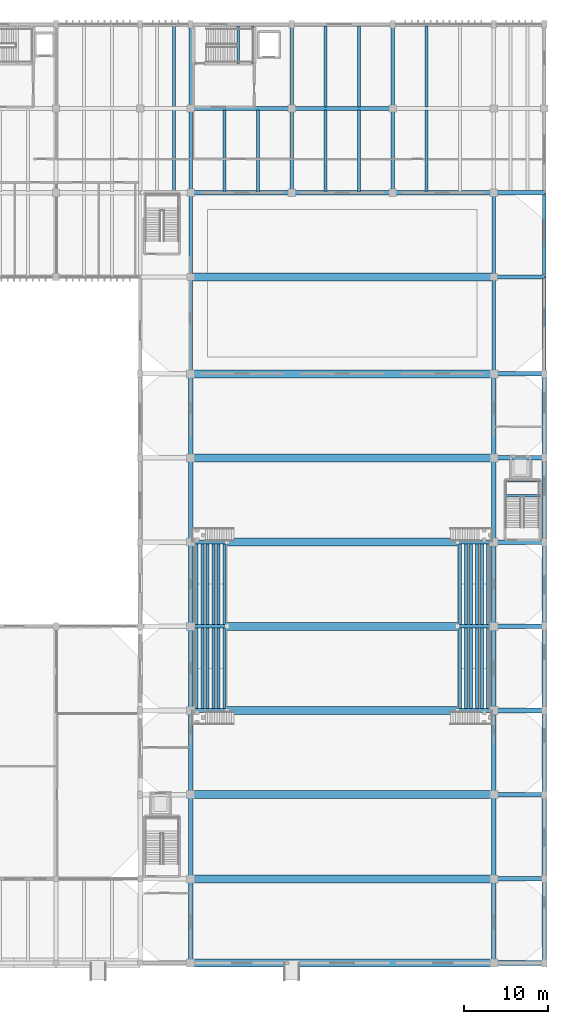
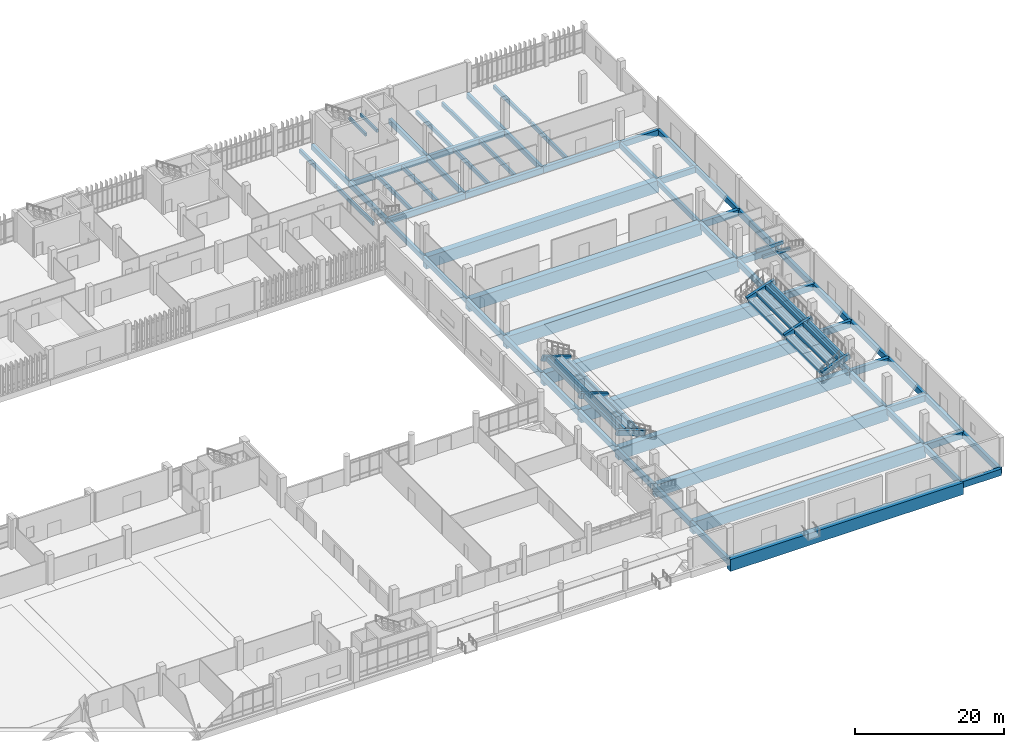
# One storey, part 55 of 87: 101 beams.
"""IFC4 building model written with IfcOpenShell, lengths in metres."""

from ifc_helpers import new_model, si_unit, direction, frame, origin, origin_2d, place, context, subcontext, project, spatial, rectangle, extrude, material, material_profile, profile_set, type_object, element, save


model = new_model("IFC4")

# Units and contexts
model_context = context("Model", 3, precision=1e-05, world=origin(), true_north=direction((0.0, 1.0)))
body_context = subcontext(model_context, "Body", "Model", "MODEL_VIEW")
ifc_project = project(units=[si_unit("LENGTHUNIT", "METRE"), si_unit("AREAUNIT", "SQUARE_METRE"), si_unit("VOLUMEUNIT", "CUBIC_METRE"), si_unit("PLANEANGLEUNIT", "RADIAN"), si_unit("MASSUNIT", "GRAM", prefix="KILO")], contexts=[model_context])

# Site, building, storey
site_placement = place(None, origin())
site = spatial("IfcSite", under=ifc_project, at=site_placement, CompositionType="ELEMENT")
building_placement = place(site_placement, origin())
building = spatial("IfcBuilding", under=site, at=building_placement, Name="Mersad Railyard Sports Hall", CompositionType="ELEMENT")
storey_placement = place(building_placement, origin())
storey = spatial("IfcBuildingStorey", under=building, at=storey_placement, Name="L00", CompositionType="ELEMENT", Elevation=0.0)

# Beams
ifc_material_1 = material(Name="Concrete C40/50", Category="concrete")
ifc_material_profile_1 = material_profile(ifc_material_1, rectangle(XDim=0.449951171875, YDim=0.85009765625, at=origin_2d()), Name="RC 450x850")
ifc_profile_set_1 = profile_set([ifc_material_profile_1], Name="Concrete C40/50")
beam_type_1 = type_object("IfcBeamType", Name="STR-BM-B02", PredefinedType="BEAM", material=ifc_profile_set_1)
beam_1_placement = place(storey_placement, frame((137.0, 73.5, -0.875), z_axis=(0.0, 1.0, 0.0), x_axis=(-1.0, 0.0, 0.0)))
element("IfcBeam", 1, at=beam_1_placement, inside=storey, type_object=beam_type_1, Name="Beam B02-0136", PredefinedType="BEAM", context=body_context, shape_type="SweptSolid", body=[
    extrude(rectangle(XDim=0.449951171875, YDim=0.85009765625, at=origin_2d()), origin(), (0.0, 0.0, 1.0), 11.5),
])
beam_2_placement = place(storey_placement, frame((137.0, 85.0, -0.875), z_axis=(0.0, 1.0, 0.0), x_axis=(-1.0, 0.0, 0.0)))
element("IfcBeam", 2, at=beam_2_placement, inside=storey, type_object=beam_type_1, Name="Beam B02-0137", PredefinedType="BEAM", context=body_context, shape_type="SweptSolid", body=[
    extrude(rectangle(XDim=0.449951171875, YDim=0.85009765625, at=origin_2d()), origin(), (0.0, 0.0, 1.0), 10.0),
])
beam_3_placement = place(storey_placement, frame((173.0, 73.5, -0.875), z_axis=(0.0, 1.0, 0.0), x_axis=(-1.0, 0.0, 0.0)))
element("IfcBeam", 3, at=beam_3_placement, inside=storey, type_object=beam_type_1, Name="Beam B02-0138", PredefinedType="BEAM", context=body_context, shape_type="SweptSolid", body=[
    extrude(rectangle(XDim=0.449951171875, YDim=0.85009765625, at=origin_2d()), origin(), (0.0, 0.0, 1.0), 11.5),
])
beam_4_placement = place(storey_placement, frame((173.0, 85.0, -0.875), z_axis=(0.0, 1.0, 0.0), x_axis=(-1.0, 0.0, 0.0)))
element("IfcBeam", 4, at=beam_4_placement, inside=storey, type_object=beam_type_1, Name="Beam B02-0139", PredefinedType="BEAM", context=body_context, shape_type="SweptSolid", body=[
    extrude(rectangle(XDim=0.449951171875, YDim=0.85009765625, at=origin_2d()), origin(), (0.0, 0.0, 1.0), 10.0),
])
beam_5_placement = place(storey_placement, frame((179.0, 73.5, -0.875), z_axis=(0.0, 1.0, 0.0), x_axis=(-1.0, 0.0, 0.0)))
element("IfcBeam", 5, at=beam_5_placement, inside=storey, type_object=beam_type_1, Name="Beam B02-0140", PredefinedType="BEAM", context=body_context, shape_type="SweptSolid", body=[
    extrude(rectangle(XDim=0.449951171875, YDim=0.85009765625, at=origin_2d()), origin(), (0.0, 0.0, 1.0), 11.5),
])
for number, where, z_axis, x_axis, name in (
    (6, (179.0, 85.0, -0.875), (0.0, 1.0, 0.0), (-1.0, 0.0, 0.0), "Beam B02-0141"),
    (7, (137.0, 95.0, -0.77490234375), (0.0, 1.0, 0.0), (-1.0, 0.0, 0.0), "Beam B02-0213"),
    (8, (137.0, 105.0, -0.77490234375), (0.0, 1.0, 0.0), (-1.0, 0.0, 0.0), "Beam B02-0214"),
    (9, (149.0, 95.0, -0.77490234375), (0.0, 1.0, 0.0), (-1.0, 0.0, 0.0), "Beam B02-0215"),
    (10, (149.0, 105.0, -0.77490234375), (0.0, 1.0, 0.0), (-1.0, 0.0, 0.0), "Beam B02-0216"),
    (11, (161.0, 95.0, -0.77490234375), (0.0, 1.0, 0.0), (-1.0, 0.0, 0.0), "Beam B02-0217"),
    (12, (161.0, 105.0, -0.77490234375), (0.0, 1.0, 0.0), (-1.0, 0.0, 0.0), "Beam B02-0218"),
):
    element("IfcBeam", number, at=place(storey_placement, frame(where, z_axis=z_axis, x_axis=x_axis)), inside=storey, type_object=beam_type_1, Name=name, PredefinedType="BEAM", context=body_context, shape_type="SweptSolid", body=[
        extrude(rectangle(XDim=0.449951171875, YDim=0.85009765625, at=origin_2d()), origin(), (0.0, 0.0, 1.0), 10.0),
    ])
ifc_material_2 = material(Name="Concrete C50/60", Category="concrete")
ifc_material_profile_2 = material_profile(ifc_material_2, rectangle(XDim=0.5, YDim=0.949951171875, at=origin_2d()), Name="RC 500x950")
ifc_profile_set_2 = profile_set([ifc_material_profile_2], Name="Concrete C50/60")
beam_type_2 = type_object("IfcBeamType", Name="STR-BM-B03", PredefinedType="BEAM", material=ifc_profile_set_2)
for number, where, z_axis, x_axis, name in (
    (13, (137.0, 3.5, -0.925048828125), (0.0, 1.0, 0.0), (-1.0, 0.0, 0.0), "Beam B03-0108"),
    (14, (137.0, 13.5, -0.925048828125), (0.0, 1.0, 0.0), (-1.0, 0.0, 0.0), "Beam B03-0109"),
    (15, (137.0, 23.5, -0.925048828125), (0.0, 1.0, 0.0), (-1.0, 0.0, 0.0), "Beam B03-0110"),
    (16, (137.0, 33.5, -0.925048828125), (0.0, 1.0, 0.0), (-1.0, 0.0, 0.0), "Beam B03-0111"),
    (17, (137.0, 43.5, -0.925048828125), (0.0, 1.0, 0.0), (-1.0, 0.0, 0.0), "Beam B03-0112"),
    (18, (137.0, 53.5, -0.925048828125), (0.0, 1.0, 0.0), (-1.0, 0.0, 0.0), "Beam B03-0113"),
    (19, (137.0, 63.5, -0.925048828125), (0.0, 1.0, 0.0), (-1.0, 0.0, 0.0), "Beam B03-0114"),
    (20, (173.0, 3.5, -0.925048828125), (0.0, 1.0, 0.0), (-1.0, 0.0, 0.0), "Beam B03-0115"),
    (21, (173.0, 13.5, -0.925048828125), (0.0, 1.0, 0.0), (-1.0, 0.0, 0.0), "Beam B03-0116"),
    (22, (173.0, 23.5, -0.925048828125), (0.0, 1.0, 0.0), (-1.0, 0.0, 0.0), "Beam B03-0117"),
    (23, (173.0, 33.5, -0.925048828125), (0.0, 1.0, 0.0), (-1.0, 0.0, 0.0), "Beam B03-0118"),
    (24, (173.0, 43.5, -0.925048828125), (0.0, 1.0, 0.0), (-1.0, 0.0, 0.0), "Beam B03-0119"),
    (25, (173.0, 53.5, -0.925048828125), (0.0, 1.0, 0.0), (-1.0, 0.0, 0.0), "Beam B03-0120"),
    (26, (173.0, 63.5, -0.925048828125), (0.0, 1.0, 0.0), (-1.0, 0.0, 0.0), "Beam B03-0121"),
    (27, (179.0, 3.5, -0.925048828125), (0.0, 1.0, 0.0), (-1.0, 0.0, 0.0), "Beam B03-0122"),
    (28, (179.0, 13.5, -0.925048828125), (0.0, 1.0, 0.0), (-1.0, 0.0, 0.0), "Beam B03-0123"),
    (29, (179.0, 23.5, -0.925048828125), (0.0, 1.0, 0.0), (-1.0, 0.0, 0.0), "Beam B03-0124"),
    (30, (179.0, 33.5, -0.925048828125), (0.0, 1.0, 0.0), (-1.0, 0.0, 0.0), "Beam B03-0125"),
    (31, (179.0, 43.5, -0.925048828125), (0.0, 1.0, 0.0), (-1.0, 0.0, 0.0), "Beam B03-0126"),
    (32, (179.0, 53.5, -0.925048828125), (0.0, 1.0, 0.0), (-1.0, 0.0, 0.0), "Beam B03-0127"),
    (33, (179.0, 63.5, -0.925048828125), (0.0, 1.0, 0.0), (-1.0, 0.0, 0.0), "Beam B03-0128"),
):
    element("IfcBeam", number, at=place(storey_placement, frame(where, z_axis=z_axis, x_axis=x_axis)), inside=storey, type_object=beam_type_2, Name=name, PredefinedType="BEAM", context=body_context, shape_type="SweptSolid", body=[
        extrude(rectangle(XDim=0.5, YDim=0.949951171875, at=origin_2d()), origin(), (0.0, 0.0, 1.0), 10.0),
    ])
for number, where, z_axis, x_axis, name in (
    (34, (173.0, 85.0, -0.925048828125), (1.0, 0.0, 0.0), (0.0, 1.0, 0.0), "Beam B03-0131"),
    (35, (173.0, 95.0, -0.925048828125), (1.0, 0.0, 0.0), (0.0, 1.0, 0.0), "Beam B03-0133"),
):
    element("IfcBeam", number, at=place(storey_placement, frame(where, z_axis=z_axis, x_axis=x_axis)), inside=storey, type_object=beam_type_2, Name=name, PredefinedType="BEAM", context=body_context, shape_type="SweptSolid", body=[
        extrude(rectangle(XDim=0.5, YDim=0.949951171875, at=origin_2d()), origin(), (0.0, 0.0, 1.0), 6.0),
    ])
for number, where, z_axis, x_axis, name in (
    (36, (137.0, 95.0, -0.824951171875), (1.0, 0.0, 0.0), (0.0, 1.0, 0.0), "Beam B03-0200"),
    (37, (149.0, 95.0, -0.824951171875), (1.0, 0.0, 0.0), (0.0, 1.0, 0.0), "Beam B03-0201"),
    (38, (161.0, 95.0, -0.824951171875), (1.0, 0.0, 0.0), (0.0, 1.0, 0.0), "Beam B03-0202"),
    (39, (137.0, 105.0, -0.824951171875), (1.0, 0.0, 0.0), (0.0, 1.0, 0.0), "Beam B03-0204"),
    (40, (149.0, 105.0, -0.824951171875), (1.0, 0.0, 0.0), (0.0, 1.0, 0.0), "Beam B03-0205"),
):
    element("IfcBeam", number, at=place(storey_placement, frame(where, z_axis=z_axis, x_axis=x_axis)), inside=storey, type_object=beam_type_2, Name=name, PredefinedType="BEAM", context=body_context, shape_type="SweptSolid", body=[
        extrude(rectangle(XDim=0.5, YDim=0.949951171875, at=origin_2d()), origin(), (0.0, 0.0, 1.0), 12.0),
    ])
ifc_material_profile_3 = material_profile(ifc_material_2, rectangle(XDim=0.550048828125, YDim=1.050048828125, at=origin_2d()), Name="RC 550x1050")
ifc_profile_set_3 = profile_set([ifc_material_profile_3], Name="Concrete C50/60")
beam_type_3 = type_object("IfcBeamType", Name="STR-BM-B04", PredefinedType="BEAM", material=ifc_profile_set_3)
for number, where, z_axis, x_axis, name in (
    (41, (173.0, 3.5, -0.97509765625), (1.0, 0.0, 0.0), (0.0, 1.0, 0.0), "Beam B04-0083"),
    (42, (173.0, 13.5, -0.97509765625), (1.0, 0.0, 0.0), (0.0, 1.0, 0.0), "Beam B04-0086"),
    (43, (173.0, 23.5, -0.97509765625), (1.0, 0.0, 0.0), (0.0, 1.0, 0.0), "Beam B04-0089"),
    (44, (173.0, 33.5, -0.97509765625), (1.0, 0.0, 0.0), (0.0, 1.0, 0.0), "Beam B04-0092"),
    (45, (173.0, 43.5, -0.97509765625), (1.0, 0.0, 0.0), (0.0, 1.0, 0.0), "Beam B04-0095"),
    (46, (173.0, 53.5, -0.97509765625), (1.0, 0.0, 0.0), (0.0, 1.0, 0.0), "Beam B04-0098"),
    (47, (173.0, 63.5, -0.97509765625), (1.0, 0.0, 0.0), (0.0, 1.0, 0.0), "Beam B04-0101"),
    (48, (173.0, 73.5, -0.97509765625), (1.0, 0.0, 0.0), (0.0, 1.0, 0.0), "Beam B04-0104"),
):
    element("IfcBeam", number, at=place(storey_placement, frame(where, z_axis=z_axis, x_axis=x_axis)), inside=storey, type_object=beam_type_3, Name=name, PredefinedType="BEAM", context=body_context, shape_type="SweptSolid", body=[
        extrude(rectangle(XDim=0.550048828125, YDim=1.050048828125, at=origin_2d()), origin(), (0.0, 0.0, 1.0), 6.0),
    ])
ifc_material_profile_4 = material_profile(ifc_material_1, rectangle(XDim=0.35009765625, YDim=0.64990234375, at=origin_2d()), Name="RC 350x650")
ifc_profile_set_4 = profile_set([ifc_material_profile_4], Name="Concrete C40/50")
beam_type_4 = type_object("IfcBeamType", Name="STR-BM-J01", PredefinedType="JOIST", material=ifc_profile_set_4)
for number, where, z_axis, x_axis, name in (
    (49, (135.0, 95.179931640625, -0.675048828125), (0.0, 1.0, 0.0), (-1.0, 0.0, 0.0), "Beam J01-0267"),
    (50, (135.0, 105.179931640625, -0.675048828125), (0.0, 1.0, 0.0), (-1.0, 0.0, 0.0), "Beam J01-0269"),
    (51, (141.0, 95.179931640625, -0.675048828125), (0.0, 1.0, 0.0), (-1.0, 0.0, 0.0), "Beam J01-0270"),
    (52, (145.0, 95.179931640625, -0.675048828125), (0.0, 1.0, 0.0), (-1.0, 0.0, 0.0), "Beam J01-0271"),
    (53, (153.0, 95.179931640625, -0.675048828125), (0.0, 1.0, 0.0), (-1.0, 0.0, 0.0), "Beam J01-0272"),
    (54, (157.0, 95.179931640625, -0.675048828125), (0.0, 1.0, 0.0), (-1.0, 0.0, 0.0), "Beam J01-0273"),
    (55, (153.0, 105.179931640625, -0.675048828125), (0.0, 1.0, 0.0), (-1.0, 0.0, 0.0), "Beam J01-0274"),
    (56, (157.0, 105.179931640625, -0.675048828125), (0.0, 1.0, 0.0), (-1.0, 0.0, 0.0), "Beam J01-0275"),
    (57, (165.0, 95.179931640625, -0.675048828125), (0.0, 1.0, 0.0), (-1.0, 0.0, 0.0), "Beam J01-0276"),
    (58, (165.0, 105.179931640625, -0.675048828125), (0.0, 1.0, 0.0), (-1.0, 0.0, 0.0), "Beam J01-0278"),
):
    element("IfcBeam", number, at=place(storey_placement, frame(where, z_axis=z_axis, x_axis=x_axis)), inside=storey, type_object=beam_type_4, Name=name, PredefinedType="JOIST", context=body_context, shape_type="SweptSolid", body=[
        extrude(rectangle(XDim=0.35009765625, YDim=0.64990234375, at=origin_2d()), origin(), (0.0, 0.0, 1.0), 9.64013671875),
    ])
for number, where, z_axis, x_axis, name in (
    (59, (140.280029296875, 33.72509765625, 0.114990234375), (0.0, 1.0, 0.0), (-1.0, 0.0, 0.0), "Beam J01-0853"),
    (60, (168.97998046875, 33.72509765625, 0.114990234375), (0.0, 1.0, 0.0), (-1.0, 0.0, 0.0), "Beam J01-0854"),
    (61, (141.02001953125, 33.72509765625, 0.114990234375), (0.0, 1.0, 0.0), (-1.0, 0.0, 0.0), "Beam J01-0855"),
    (62, (169.719970703125, 33.72509765625, 0.114990234375), (0.0, 1.0, 0.0), (-1.0, 0.0, 0.0), "Beam J01-0856"),
    (63, (138.97998046875, 33.72509765625, 0.864990234375), (0.0, 1.0, 0.0), (-1.0, 0.0, 0.0), "Beam J01-0857"),
    (64, (170.280029296875, 33.72509765625, 0.864990234375), (0.0, 1.0, 0.0), (-1.0, 0.0, 0.0), "Beam J01-0858"),
    (65, (139.719970703125, 33.72509765625, 0.864990234375), (0.0, 1.0, 0.0), (-1.0, 0.0, 0.0), "Beam J01-0859"),
    (66, (171.02001953125, 33.72509765625, 0.864990234375), (0.0, 1.0, 0.0), (-1.0, 0.0, 0.0), "Beam J01-0860"),
    (67, (137.679931640625, 33.72509765625, 1.614990234375), (0.0, 1.0, 0.0), (-1.0, 0.0, 0.0), "Beam J01-0861"),
    (68, (171.580078125, 33.72509765625, 1.614990234375), (0.0, 1.0, 0.0), (-1.0, 0.0, 0.0), "Beam J01-0862"),
    (69, (138.419921875, 33.72509765625, 1.614990234375), (0.0, 1.0, 0.0), (-1.0, 0.0, 0.0), "Beam J01-0863"),
    (70, (172.320068359375, 33.72509765625, 1.614990234375), (0.0, 1.0, 0.0), (-1.0, 0.0, 0.0), "Beam J01-0864"),
    (71, (140.280029296875, 43.72509765625, 0.114990234375), (0.0, 1.0, 0.0), (-1.0, 0.0, 0.0), "Beam J01-0877"),
    (72, (168.97998046875, 43.72509765625, 0.114990234375), (0.0, 1.0, 0.0), (-1.0, 0.0, 0.0), "Beam J01-0878"),
    (73, (141.02001953125, 43.72509765625, 0.114990234375), (0.0, 1.0, 0.0), (-1.0, 0.0, 0.0), "Beam J01-0879"),
    (74, (169.719970703125, 43.72509765625, 0.114990234375), (0.0, 1.0, 0.0), (-1.0, 0.0, 0.0), "Beam J01-0880"),
    (75, (138.97998046875, 43.72509765625, 0.864990234375), (0.0, 1.0, 0.0), (-1.0, 0.0, 0.0), "Beam J01-0881"),
    (76, (170.280029296875, 43.72509765625, 0.864990234375), (0.0, 1.0, 0.0), (-1.0, 0.0, 0.0), "Beam J01-0882"),
    (77, (139.719970703125, 43.72509765625, 0.864990234375), (0.0, 1.0, 0.0), (-1.0, 0.0, 0.0), "Beam J01-0883"),
    (78, (171.02001953125, 43.72509765625, 0.864990234375), (0.0, 1.0, 0.0), (-1.0, 0.0, 0.0), "Beam J01-0884"),
    (79, (137.679931640625, 43.72509765625, 1.614990234375), (0.0, 1.0, 0.0), (-1.0, 0.0, 0.0), "Beam J01-0885"),
    (80, (171.580078125, 43.72509765625, 1.614990234375), (0.0, 1.0, 0.0), (-1.0, 0.0, 0.0), "Beam J01-0886"),
    (81, (138.419921875, 43.72509765625, 1.614990234375), (0.0, 1.0, 0.0), (-1.0, 0.0, 0.0), "Beam J01-0887"),
    (82, (172.320068359375, 43.72509765625, 1.614990234375), (0.0, 1.0, 0.0), (-1.0, 0.0, 0.0), "Beam J01-0888"),
):
    element("IfcBeam", number, at=place(storey_placement, frame(where, z_axis=z_axis, x_axis=x_axis)), inside=storey, type_object=beam_type_4, Name=name, PredefinedType="JOIST", context=body_context, shape_type="SweptSolid", body=[
        extrude(rectangle(XDim=0.35009765625, YDim=0.64990234375, at=origin_2d()), origin(), (0.0, 0.0, 1.0), 9.5498046875),
    ])
ifc_material_profile_5 = material_profile(ifc_material_1, rectangle(XDim=0.300048828125, YDim=0.5, at=origin_2d()), Name="RC 300x500")
ifc_profile_set_5 = profile_set([ifc_material_profile_5], Name="Concrete C40/50")
beam_type_5 = type_object("IfcBeamType", Name="STR-BM-LN01", PredefinedType="LINTEL", material=ifc_profile_set_5)
for number, where, z_axis, x_axis, name in (
    (83, (142.6298828125, 110.3798828125, 1.969970703125), (0.0, 1.0, 0.0), (-1.0, 0.0, 0.0), "Stair ST04B landing beam W"),
    (84, (144.3701171875, 110.3798828125, 1.969970703125), (0.0, 1.0, 0.0), (-1.0, 0.0, 0.0), "Stair ST04B landing beam E"),
):
    element("IfcBeam", number, at=place(storey_placement, frame(where, z_axis=z_axis, x_axis=x_axis)), inside=storey, type_object=beam_type_5, Name=name, PredefinedType="LINTEL", context=body_context, shape_type="SweptSolid", body=[
        extrude(rectangle(XDim=0.300048828125, YDim=0.5, at=origin_2d()), origin(), (0.0, 0.0, 1.0), 4.43017578125),
    ])
for number, where, z_axis, x_axis, name in (
    (85, (174.280029296875, 59.030029296875, 1.969970703125), (1.0, 0.0, 0.0), (0.0, 1.0, 0.0), "Stair ST10A landing beam S"),
    (86, (174.280029296875, 60.77001953125, 1.969970703125), (1.0, 0.0, 0.0), (0.0, 1.0, 0.0), "Stair ST10A landing beam N"),
):
    element("IfcBeam", number, at=place(storey_placement, frame(where, z_axis=z_axis, x_axis=x_axis)), inside=storey, type_object=beam_type_5, Name=name, PredefinedType="LINTEL", context=body_context, shape_type="SweptSolid", body=[
        extrude(rectangle(XDim=0.300048828125, YDim=0.5, at=origin_2d()), origin(), (0.0, 0.0, 1.0), 4.239990234375),
    ])
ifc_material_profile_6 = material_profile(ifc_material_1, rectangle(XDim=0.449951171875, YDim=0.85009765625, at=origin_2d()), Name="RC 450x850")
ifc_profile_set_6 = profile_set([ifc_material_profile_6], Name="Concrete C40/50")
beam_type_6 = type_object("IfcBeamType", Name="STR-BM-RK01", PredefinedType="USERDEFINED", material=ifc_profile_set_6)
for number, where, z_axis, x_axis, name in (
    (87, (137.0, 33.5, 1.89990234375), (0.944201344588, 0.0, -0.329368821958), (0.0, 1.0, 0.0), "Beam RK01-0841"),
    (88, (173.0, 33.5, 1.89990234375), (-0.944201344588, 0.0, -0.329368821958), (0.0, -1.0, 0.0), "Beam RK01-0842"),
    (89, (137.0, 43.5, 1.89990234375), (0.944201344588, 0.0, -0.329368821958), (0.0, 1.0, 0.0), "Beam RK01-0845"),
    (90, (173.0, 43.5, 1.89990234375), (-0.944201344588, 0.0, -0.329368821958), (0.0, -1.0, 0.0), "Beam RK01-0846"),
    (91, (137.0, 53.5, 1.89990234375), (0.944201344588, 0.0, -0.329368821958), (0.0, 1.0, 0.0), "Beam RK01-0849"),
    (92, (173.0, 53.5, 1.89990234375), (-0.944201344588, 0.0, -0.329368821958), (0.0, -1.0, 0.0), "Beam RK01-0850"),
):
    element("IfcBeam", number, at=place(storey_placement, frame(where, z_axis=z_axis, x_axis=x_axis)), inside=storey, type_object=beam_type_6, Name=name, ObjectType="RAKER", PredefinedType="USERDEFINED", context=body_context, shape_type="SweptSolid", body=[
        extrude(rectangle(XDim=0.449951171875, YDim=0.85009765625, at=origin_2d()), origin(), (0.0, 0.0, 1.0), 4.55419921875),
    ])
ifc_material_3 = material(Name="Post-tensioned concrete C50/60", Category="concrete")
ifc_material_profile_7 = material_profile(ifc_material_3, rectangle(XDim=0.949951171875, YDim=1.949951171875, at=origin_2d()), Name="PT 950x1950")
ifc_profile_set_7 = profile_set([ifc_material_profile_7], Name="Post-tensioned concrete C50/60")
beam_type_7 = type_object("IfcBeamType", Name="STR-BM-TG03", PredefinedType="USERDEFINED", material=ifc_profile_set_7)
for number, where, z_axis, x_axis, name in (
    (93, (137.0, 3.5, -1.425048828125), (1.0, 0.0, 0.0), (0.0, 1.0, 0.0), "Transfer girder TG03-0082"),
    (94, (137.0, 13.5, -1.425048828125), (1.0, 0.0, 0.0), (0.0, 1.0, 0.0), "Transfer girder TG03-0085"),
    (95, (137.0, 23.5, -1.425048828125), (1.0, 0.0, 0.0), (0.0, 1.0, 0.0), "Transfer girder TG03-0088"),
    (96, (137.0, 33.5, -1.425048828125), (1.0, 0.0, 0.0), (0.0, 1.0, 0.0), "Transfer girder TG03-0091"),
    (97, (137.0, 43.5, -1.425048828125), (1.0, 0.0, 0.0), (0.0, 1.0, 0.0), "Transfer girder TG03-0094"),
    (98, (137.0, 53.5, -1.425048828125), (1.0, 0.0, 0.0), (0.0, 1.0, 0.0), "Transfer girder TG03-0097"),
    (99, (137.0, 63.5, -1.425048828125), (1.0, 0.0, 0.0), (0.0, 1.0, 0.0), "Transfer girder TG03-0100"),
    (100, (137.0, 73.5, -1.425048828125), (1.0, 0.0, 0.0), (0.0, 1.0, 0.0), "Transfer girder TG03-0103"),
    (101, (137.0, 85.0, -1.425048828125), (1.0, 0.0, 0.0), (0.0, 1.0, 0.0), "Transfer girder TG03-0130"),
):
    element("IfcBeam", number, at=place(storey_placement, frame(where, z_axis=z_axis, x_axis=x_axis)), inside=storey, type_object=beam_type_7, Name=name, ObjectType="GIRDER", PredefinedType="USERDEFINED", context=body_context, shape_type="SweptSolid", body=[
        extrude(rectangle(XDim=0.949951171875, YDim=1.949951171875, at=origin_2d()), origin(), (0.0, 0.0, 1.0), 36.0),
    ])

save(model, "model.ifc")
